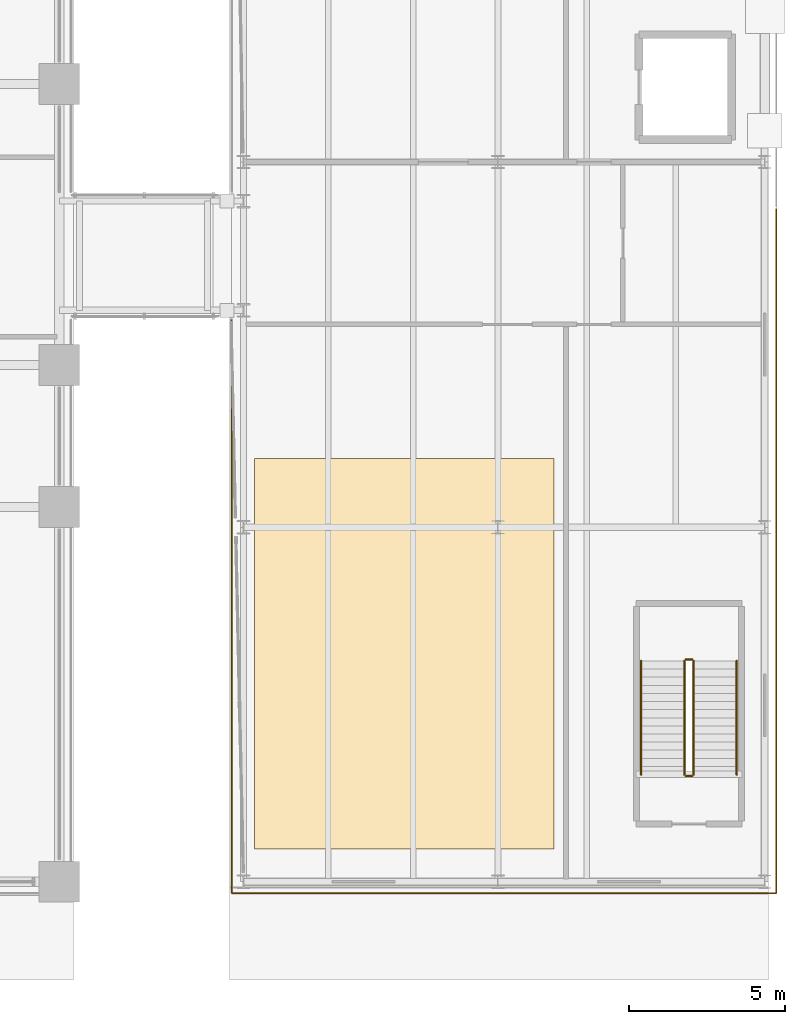
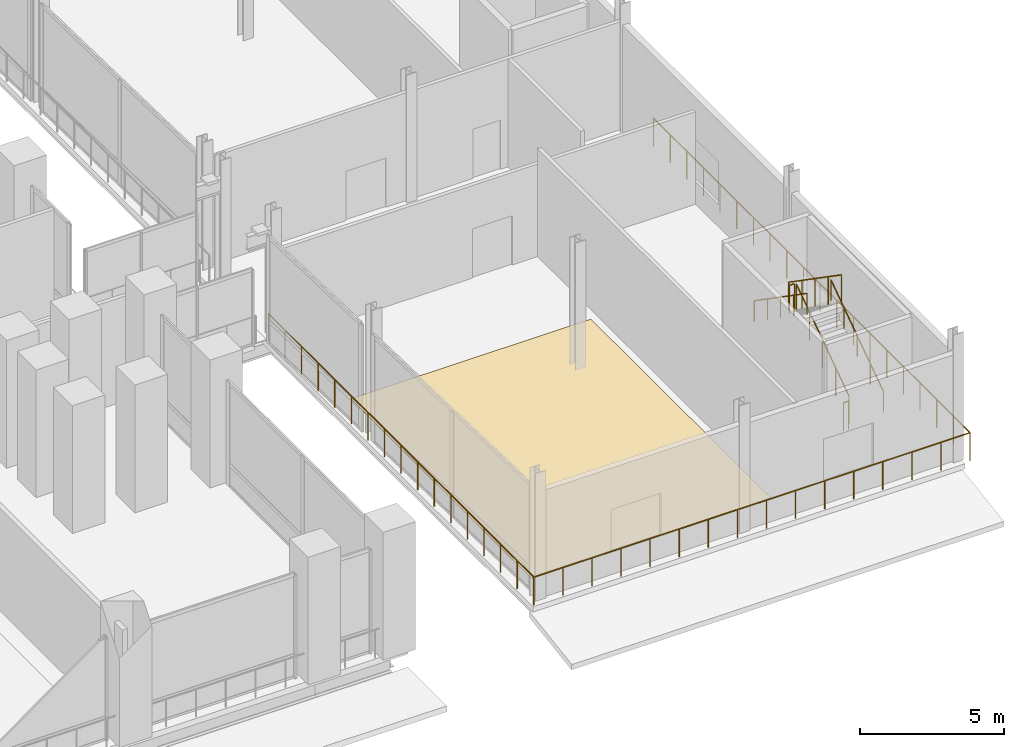
# One storey, part 31 of 32: 7 railings, 1 covering.
"""IFC4 building model written with IfcOpenShell, lengths in metres."""

from ifc_helpers import new_model, si_unit, direction, frame, origin, origin_2d, place, context, subcontext, project, spatial, polyline, circle, outline, extrude, material, layer, layer_set, type_object, element, save


model = new_model("IFC4")

# Units and contexts
model_context = context("Model", 3, precision=1e-05, world=origin(), true_north=direction((0.0, 1.0)))
body_context = subcontext(model_context, "Body", "Model", "MODEL_VIEW")
ifc_project = project(units=[si_unit("LENGTHUNIT", "METRE"), si_unit("AREAUNIT", "SQUARE_METRE"), si_unit("VOLUMEUNIT", "CUBIC_METRE"), si_unit("PLANEANGLEUNIT", "RADIAN"), si_unit("MASSUNIT", "GRAM", prefix="KILO")], contexts=[model_context])

# Site, building, storey
site_placement = place(None, origin())
site = spatial("IfcSite", under=ifc_project, at=site_placement, CompositionType="ELEMENT")
building_placement = place(site_placement, origin())
building = spatial("IfcBuilding", under=site, at=building_placement, Name="Noeulbin Bourse Tower", CompositionType="ELEMENT")
storey_placement = place(building_placement, frame((0.0, 0.0, 5.800048828125)))
storey = spatial("IfcBuildingStorey", under=building, at=storey_placement, Name="L02", CompositionType="ELEMENT", Elevation=5.800048828125)

# Covering
ifc_material_1 = material(Name="Honed Geumjeong Granite Paving", Category="masonry")
ifc_layer_1 = layer(ifc_material_1, 0.030029296875)
ifc_layer_set_1 = layer_set([ifc_layer_1], Name="Honed Geumjeong Granite Paving")
covering_type = type_object("IfcCoveringType", Name="COV-FLR-STN", PredefinedType="FLOORING", material=ifc_layer_set_1)
covering_placement = place(storey_placement, origin())
element("IfcCovering", 1, at=covering_placement, inside=storey, type_object=covering_type, Name="Market Hall Granite Paving L02", PredefinedType="FLOORING", context=body_context, shape_type="SweptSolid", body=[
    extrude(outline(polyline([(60.800048828125, 4.5), (70.39990234375, 4.5), (70.39990234375, 17.0), (60.800048828125, 17.0), (60.800048828125, 4.5)])), origin(), (0.0, 0.0, 1.0), 0.030029296875),
])

# Railings
ifc_material_2 = material(Name="Painted Tubular Steel S355", Category="steel")
ifc_layer_2 = layer(ifc_material_2, 0.048095703125)
ifc_layer_set_2 = layer_set([ifc_layer_2], Name="Painted Tubular Steel S355")
railing_type_1 = type_object("IfcRailingType", Name="RLG-STR-GRD", PredefinedType="GUARDRAIL", material=ifc_layer_set_2)
railing_1_placement = place(storey_placement, frame((74.8701171875, 6.8798828125, 0.179931640625)))
element("IfcRailing", 2, at=railing_1_placement, inside=storey, type_object=railing_type_1, Name="L02 MST-1 stair guard 1", PredefinedType="GUARDRAIL", context=body_context, shape_type="SweptSolid", body=[
    extrude(circle(Radius=0.02392578125, at=origin_2d()), frame((0.0, 0.0, 1.17578125), z_axis=(0.0, 0.82220013233, 0.56919850878), x_axis=(-1.0, 0.0, 0.0)), (0.0, 0.0, 1.0), 4.42724609375),
    extrude(circle(Radius=0.02099609375, at=origin_2d()), origin(), (0.0, 0.0, 1.0), 1.15185546875),
    extrude(circle(Radius=0.02099609375, at=origin_2d()), frame((0.0, 0.91015625, 0.6298828125)), (0.0, 0.0, 1.0), 1.15185546875),
    extrude(circle(Radius=0.02099609375, at=origin_2d()), frame((0.0, 1.820068359375, 1.260009765625)), (0.0, 0.0, 1.0), 1.15185546875),
    extrude(circle(Radius=0.02099609375, at=origin_2d()), frame((0.0, 2.72998046875, 1.89013671875)), (0.0, 0.0, 1.0), 1.15185546875),
    extrude(circle(Radius=0.02099609375, at=origin_2d()), frame((0.0, 3.64013671875, 2.52001953125)), (0.0, 0.0, 1.0), 1.15185546875),
])
railing_2_placement = place(storey_placement, frame((74.820068359375, 10.570068359375, 2.699951171875)))
element("IfcRailing", 3, at=railing_2_placement, inside=storey, type_object=railing_type_1, Name="L02 MST-1 stair guard 2", PredefinedType="GUARDRAIL", context=body_context, shape_type="SweptSolid", body=[
    extrude(circle(Radius=0.02392578125, at=origin_2d()), frame((0.0, 0.0, 1.17578125), z_axis=(-1.0, 0.0, 0.0), x_axis=(0.0, -1.0, 0.0)), (0.0, 0.0, 1.0), 0.199951171875),
    extrude(circle(Radius=0.02099609375, at=origin_2d()), origin(), (0.0, 0.0, 1.0), 1.15185546875),
    extrude(circle(Radius=0.02099609375, at=origin_2d()), frame((-0.199951171875, 0.0, 0.0)), (0.0, 0.0, 1.0), 1.15185546875),
])
railing_3_placement = place(storey_placement, frame((74.570068359375, 10.52001953125, 2.8798828125)))
element("IfcRailing", 4, at=railing_3_placement, inside=storey, type_object=railing_type_1, Name="L02 MST-1 stair guard 3", PredefinedType="GUARDRAIL", context=body_context, shape_type="SweptSolid", body=[
    extrude(circle(Radius=0.02392578125, at=origin_2d()), frame((0.0, 0.0, 1.17578125), z_axis=(0.0, -0.82220013233, 0.56919850878), x_axis=(1.0, 0.0, 0.0)), (0.0, 0.0, 1.0), 4.42724609375),
    extrude(circle(Radius=0.02099609375, at=origin_2d()), origin(), (0.0, 0.0, 1.0), 1.15185546875),
    extrude(circle(Radius=0.02099609375, at=origin_2d()), frame((0.0, -0.91015625, 0.6298828125)), (0.0, 0.0, 1.0), 1.15185546875),
    extrude(circle(Radius=0.02099609375, at=origin_2d()), frame((0.0, -1.820068359375, 1.260009765625)), (0.0, 0.0, 1.0), 1.15185546875),
    extrude(circle(Radius=0.02099609375, at=origin_2d()), frame((0.0, -2.72998046875, 1.89013671875)), (0.0, 0.0, 1.0), 1.15185546875),
    extrude(circle(Radius=0.02099609375, at=origin_2d()), frame((0.0, -3.64013671875, 2.52001953125)), (0.0, 0.0, 1.0), 1.15185546875),
])
railing_4_placement = place(storey_placement, frame((74.820068359375, 6.830078125, 0.0)))
element("IfcRailing", 5, at=railing_4_placement, inside=storey, type_object=railing_type_1, Name="L02 MST-1 stair guard 4", PredefinedType="GUARDRAIL", context=body_context, shape_type="SweptSolid", body=[
    extrude(circle(Radius=0.02392578125, at=origin_2d()), frame((0.0, 0.0, 1.17578125), z_axis=(-1.0, 0.0, 0.0), x_axis=(0.0, -1.0, 0.0)), (0.0, 0.0, 1.0), 0.199951171875),
    extrude(circle(Radius=0.02099609375, at=origin_2d()), origin(), (0.0, 0.0, 1.0), 1.15185546875),
    extrude(circle(Radius=0.02099609375, at=origin_2d()), frame((-0.199951171875, 0.0, 0.0)), (0.0, 0.0, 1.0), 1.15185546875),
])
ifc_material_3 = material(Name="Brushed Stainless Steel 316", Category="steel")
ifc_layer_3 = layer(ifc_material_3, 0.048095703125)
ifc_layer_set_3 = layer_set([ifc_layer_3], Name="Brushed Stainless Steel 316")
railing_type_2 = type_object("IfcRailingType", Name="RLG-STR-HND", PredefinedType="HANDRAIL", material=ifc_layer_set_3)
railing_5_placement = place(storey_placement, frame((76.25, 6.8798828125, 0.179931640625)))
element("IfcRailing", 6, at=railing_5_placement, inside=storey, type_object=railing_type_2, Name="L02 MST-1 stair handrail 1", PredefinedType="HANDRAIL", context=body_context, shape_type="SweptSolid", body=[
    extrude(circle(Radius=0.02392578125, at=origin_2d()), frame((0.0, 0.0, 0.8759765625), z_axis=(0.0, 0.82220013233, 0.56919850878), x_axis=(-1.0, 0.0, 0.0)), (0.0, 0.0, 1.0), 4.42724609375),
    extrude(circle(Radius=0.02099609375, at=origin_2d()), origin(), (0.0, 0.0, 1.0), 0.851806640625),
    extrude(circle(Radius=0.02099609375, at=origin_2d()), frame((0.0, 0.91015625, 0.6298828125)), (0.0, 0.0, 1.0), 0.851806640625),
    extrude(circle(Radius=0.02099609375, at=origin_2d()), frame((0.0, 1.820068359375, 1.260009765625)), (0.0, 0.0, 1.0), 0.851806640625),
    extrude(circle(Radius=0.02099609375, at=origin_2d()), frame((0.0, 2.72998046875, 1.89013671875)), (0.0, 0.0, 1.0), 0.851806640625),
    extrude(circle(Radius=0.02099609375, at=origin_2d()), frame((0.0, 3.64013671875, 2.52001953125)), (0.0, 0.0, 1.0), 0.851806640625),
])
railing_6_placement = place(storey_placement, frame((73.18994140625, 10.52001953125, 2.8798828125)))
element("IfcRailing", 7, at=railing_6_placement, inside=storey, type_object=railing_type_2, Name="L02 MST-1 stair handrail 2", PredefinedType="HANDRAIL", context=body_context, shape_type="SweptSolid", body=[
    extrude(circle(Radius=0.02392578125, at=origin_2d()), frame((0.0, 0.0, 0.8759765625), z_axis=(0.0, -0.82220013233, 0.56919850878), x_axis=(1.0, 0.0, 0.0)), (0.0, 0.0, 1.0), 4.42724609375),
    extrude(circle(Radius=0.02099609375, at=origin_2d()), origin(), (0.0, 0.0, 1.0), 0.851806640625),
    extrude(circle(Radius=0.02099609375, at=origin_2d()), frame((0.0, -0.91015625, 0.6298828125)), (0.0, 0.0, 1.0), 0.851806640625),
    extrude(circle(Radius=0.02099609375, at=origin_2d()), frame((0.0, -1.820068359375, 1.260009765625)), (0.0, 0.0, 1.0), 0.851806640625),
    extrude(circle(Radius=0.02099609375, at=origin_2d()), frame((0.0, -2.72998046875, 1.89013671875)), (0.0, 0.0, 1.0), 0.851806640625),
    extrude(circle(Radius=0.02099609375, at=origin_2d()), frame((0.0, -3.64013671875, 2.52001953125)), (0.0, 0.0, 1.0), 0.851806640625),
])
ifc_material_4 = material(Name="Stainless Steel 316 Post and Rail", Category="steel")
ifc_layer_4 = layer(ifc_material_4, 0.06005859375)
ifc_layer_set_4 = layer_set([ifc_layer_4], Name="Stainless Steel 316 Post and Rail")
railing_type_3 = type_object("IfcRailingType", Name="RLG-TER-1200", PredefinedType="GUARDRAIL", material=ifc_layer_set_4)
railing_7_placement = place(storey_placement, frame((60.080078125, 21.449951171875, 0.0)))
element("IfcRailing", 8, at=railing_7_placement, inside=storey, type_object=railing_type_3, Name="Market Perimeter Edge Guard L02-1", PredefinedType="GUARDRAIL", context=body_context, shape_type="SweptSolid", body=[
    extrude(circle(Radius=0.02392578125, at=origin_2d()), frame((0.0, 0.0, 1.17578125), z_axis=(0.0, -1.0, 0.0), x_axis=(1.0, 0.0, 0.0)), (0.0, 0.0, 1.0), 18.369873046875),
    extrude(circle(Radius=0.02392578125, at=origin_2d()), frame((0.0, -18.369873046875, 1.17578125), z_axis=(1.0, 0.0, 0.0), x_axis=(0.0, 1.0, 0.0)), (0.0, 0.0, 1.0), 17.43994140625),
    extrude(circle(Radius=0.02392578125, at=origin_2d()), frame((17.43994140625, -18.369873046875, 1.17578125), z_axis=(0.0, 1.0, 0.0), x_axis=(-1.0, 0.0, 0.0)), (0.0, 0.0, 1.0), 21.919921875),
    extrude(circle(Radius=0.02099609375, at=origin_2d()), origin(), (0.0, 0.0, 1.0), 1.15185546875),
    extrude(circle(Radius=0.02099609375, at=origin_2d()), frame((0.0, -1.148193359375, 0.0)), (0.0, 0.0, 1.0), 1.15185546875),
    extrude(circle(Radius=0.02099609375, at=origin_2d()), frame((0.0, -2.296142578125, 0.0)), (0.0, 0.0, 1.0), 1.15185546875),
    extrude(circle(Radius=0.02099609375, at=origin_2d()), frame((0.0, -3.4443359375, 0.0)), (0.0, 0.0, 1.0), 1.15185546875),
    extrude(circle(Radius=0.02099609375, at=origin_2d()), frame((0.0, -4.592529296875, 0.0)), (0.0, 0.0, 1.0), 1.15185546875),
    extrude(circle(Radius=0.02099609375, at=origin_2d()), frame((0.0, -5.740478515625, 0.0)), (0.0, 0.0, 1.0), 1.15185546875),
    extrude(circle(Radius=0.02099609375, at=origin_2d()), frame((0.0, -6.888671875, 0.0)), (0.0, 0.0, 1.0), 1.15185546875),
    extrude(circle(Radius=0.02099609375, at=origin_2d()), frame((0.0, -8.036865234375, 0.0)), (0.0, 0.0, 1.0), 1.15185546875),
    extrude(circle(Radius=0.02099609375, at=origin_2d()), frame((0.0, -9.18505859375, 0.0)), (0.0, 0.0, 1.0), 1.15185546875),
    extrude(circle(Radius=0.02099609375, at=origin_2d()), frame((0.0, -10.3330078125, 0.0)), (0.0, 0.0, 1.0), 1.15185546875),
    extrude(circle(Radius=0.02099609375, at=origin_2d()), frame((0.0, -11.481201171875, 0.0)), (0.0, 0.0, 1.0), 1.15185546875),
    extrude(circle(Radius=0.02099609375, at=origin_2d()), frame((0.0, -12.62939453125, 0.0)), (0.0, 0.0, 1.0), 1.15185546875),
    extrude(circle(Radius=0.02099609375, at=origin_2d()), frame((0.0, -13.77734375, 0.0)), (0.0, 0.0, 1.0), 1.15185546875),
    extrude(circle(Radius=0.02099609375, at=origin_2d()), frame((0.0, -14.925537109375, 0.0)), (0.0, 0.0, 1.0), 1.15185546875),
    extrude(circle(Radius=0.02099609375, at=origin_2d()), frame((0.0, -16.07373046875, 0.0)), (0.0, 0.0, 1.0), 1.15185546875),
    extrude(circle(Radius=0.02099609375, at=origin_2d()), frame((0.0, -17.2216796875, 0.0)), (0.0, 0.0, 1.0), 1.15185546875),
    extrude(circle(Radius=0.02099609375, at=origin_2d()), frame((0.0, -18.369873046875, 0.0)), (0.0, 0.0, 1.0), 1.15185546875),
    extrude(circle(Radius=0.02099609375, at=origin_2d()), frame((1.16259765625, -18.369873046875, 0.0)), (0.0, 0.0, 1.0), 1.15185546875),
    extrude(circle(Radius=0.02099609375, at=origin_2d()), frame((2.325439453125, -18.369873046875, 0.0)), (0.0, 0.0, 1.0), 1.15185546875),
    extrude(circle(Radius=0.02099609375, at=origin_2d()), frame((3.488037109375, -18.369873046875, 0.0)), (0.0, 0.0, 1.0), 1.15185546875),
    extrude(circle(Radius=0.02099609375, at=origin_2d()), frame((4.650634765625, -18.369873046875, 0.0)), (0.0, 0.0, 1.0), 1.15185546875),
    extrude(circle(Radius=0.02099609375, at=origin_2d()), frame((5.813232421875, -18.369873046875, 0.0)), (0.0, 0.0, 1.0), 1.15185546875),
    extrude(circle(Radius=0.02099609375, at=origin_2d()), frame((6.97607421875, -18.369873046875, 0.0)), (0.0, 0.0, 1.0), 1.15185546875),
    extrude(circle(Radius=0.02099609375, at=origin_2d()), frame((8.138671875, -18.369873046875, 0.0)), (0.0, 0.0, 1.0), 1.15185546875),
    extrude(circle(Radius=0.02099609375, at=origin_2d()), frame((9.30126953125, -18.369873046875, 0.0)), (0.0, 0.0, 1.0), 1.15185546875),
    extrude(circle(Radius=0.02099609375, at=origin_2d()), frame((10.4638671875, -18.369873046875, 0.0)), (0.0, 0.0, 1.0), 1.15185546875),
    extrude(circle(Radius=0.02099609375, at=origin_2d()), frame((11.626708984375, -18.369873046875, 0.0)), (0.0, 0.0, 1.0), 1.15185546875),
    extrude(circle(Radius=0.02099609375, at=origin_2d()), frame((12.789306640625, -18.369873046875, 0.0)), (0.0, 0.0, 1.0), 1.15185546875),
    extrude(circle(Radius=0.02099609375, at=origin_2d()), frame((13.951904296875, -18.369873046875, 0.0)), (0.0, 0.0, 1.0), 1.15185546875),
    extrude(circle(Radius=0.02099609375, at=origin_2d()), frame((15.114501953125, -18.369873046875, 0.0)), (0.0, 0.0, 1.0), 1.15185546875),
    extrude(circle(Radius=0.02099609375, at=origin_2d()), frame((16.27734375, -18.369873046875, 0.0)), (0.0, 0.0, 1.0), 1.15185546875),
    extrude(circle(Radius=0.02099609375, at=origin_2d()), frame((17.43994140625, -18.369873046875, 0.0)), (0.0, 0.0, 1.0), 1.15185546875),
    extrude(circle(Radius=0.02099609375, at=origin_2d()), frame((17.43994140625, -17.21630859375, 0.0)), (0.0, 0.0, 1.0), 1.15185546875),
    extrude(circle(Radius=0.02099609375, at=origin_2d()), frame((17.43994140625, -16.0625, 0.0)), (0.0, 0.0, 1.0), 1.15185546875),
    extrude(circle(Radius=0.02099609375, at=origin_2d()), frame((17.43994140625, -14.908935546875, 0.0)), (0.0, 0.0, 1.0), 1.15185546875),
    extrude(circle(Radius=0.02099609375, at=origin_2d()), frame((17.43994140625, -13.755126953125, 0.0)), (0.0, 0.0, 1.0), 1.15185546875),
    extrude(circle(Radius=0.02099609375, at=origin_2d()), frame((17.43994140625, -12.6015625, 0.0)), (0.0, 0.0, 1.0), 1.15185546875),
    extrude(circle(Radius=0.02099609375, at=origin_2d()), frame((17.43994140625, -11.44775390625, 0.0)), (0.0, 0.0, 1.0), 1.15185546875),
    extrude(circle(Radius=0.02099609375, at=origin_2d()), frame((17.43994140625, -10.294189453125, 0.0)), (0.0, 0.0, 1.0), 1.15185546875),
    extrude(circle(Radius=0.02099609375, at=origin_2d()), frame((17.43994140625, -9.140380859375, 0.0)), (0.0, 0.0, 1.0), 1.15185546875),
    extrude(circle(Radius=0.02099609375, at=origin_2d()), frame((17.43994140625, -7.98681640625, 0.0)), (0.0, 0.0, 1.0), 1.15185546875),
    extrude(circle(Radius=0.02099609375, at=origin_2d()), frame((17.43994140625, -6.8330078125, 0.0)), (0.0, 0.0, 1.0), 1.15185546875),
    extrude(circle(Radius=0.02099609375, at=origin_2d()), frame((17.43994140625, -5.679443359375, 0.0)), (0.0, 0.0, 1.0), 1.15185546875),
    extrude(circle(Radius=0.02099609375, at=origin_2d()), frame((17.43994140625, -4.525634765625, 0.0)), (0.0, 0.0, 1.0), 1.15185546875),
    extrude(circle(Radius=0.02099609375, at=origin_2d()), frame((17.43994140625, -3.3720703125, 0.0)), (0.0, 0.0, 1.0), 1.15185546875),
    extrude(circle(Radius=0.02099609375, at=origin_2d()), frame((17.43994140625, -2.21826171875, 0.0)), (0.0, 0.0, 1.0), 1.15185546875),
    extrude(circle(Radius=0.02099609375, at=origin_2d()), frame((17.43994140625, -1.064697265625, 0.0)), (0.0, 0.0, 1.0), 1.15185546875),
    extrude(circle(Radius=0.02099609375, at=origin_2d()), frame((17.43994140625, 0.089111328125, 0.0)), (0.0, 0.0, 1.0), 1.15185546875),
    extrude(circle(Radius=0.02099609375, at=origin_2d()), frame((17.43994140625, 1.24267578125, 0.0)), (0.0, 0.0, 1.0), 1.15185546875),
    extrude(circle(Radius=0.02099609375, at=origin_2d()), frame((17.43994140625, 2.396484375, 0.0)), (0.0, 0.0, 1.0), 1.15185546875),
    extrude(circle(Radius=0.02099609375, at=origin_2d()), frame((17.43994140625, 3.550048828125, 0.0)), (0.0, 0.0, 1.0), 1.15185546875),
])

save(model, "model.ifc")
